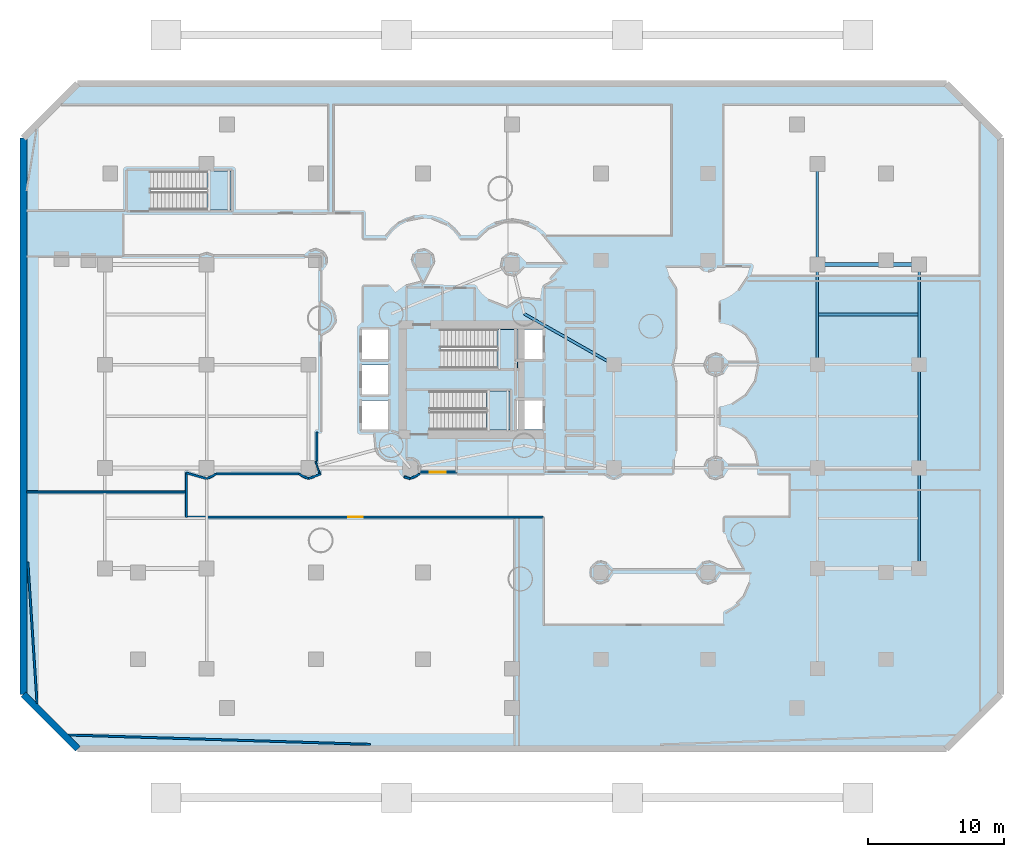
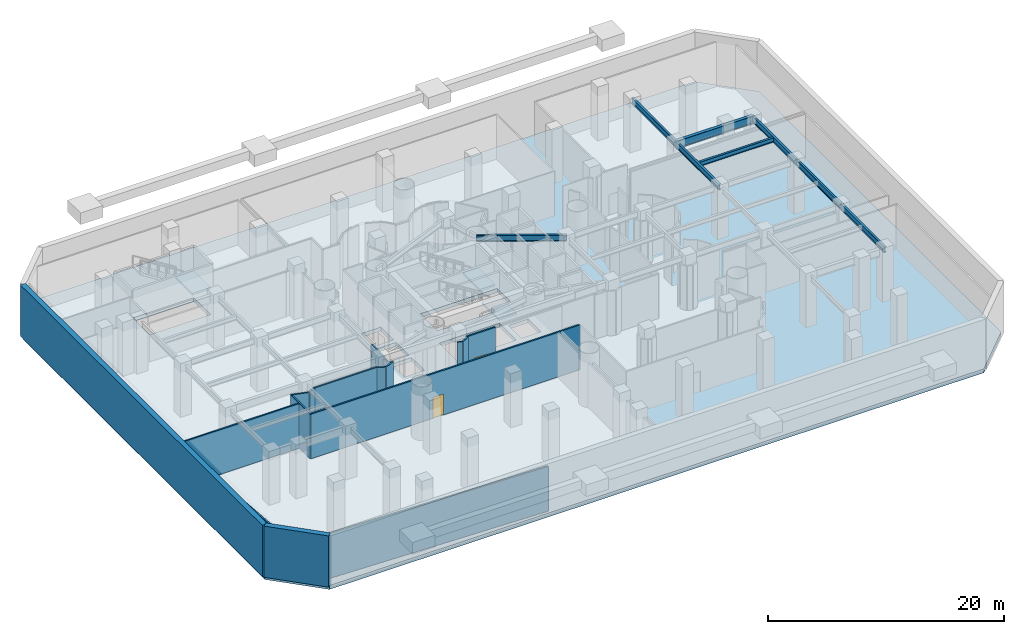
# One storey, part 2 of 11: 17 walls, 8 beams, 4 slabs, 2 doors, 2 openings, 3 elements without a shape of their own.
"""IFC4 building model written with IfcOpenShell, lengths in metres."""

from ifc_helpers import new_model, si_unit, direction, frame, frame_2d, origin, origin_2d, place, context, subcontext, project, spatial, polyline, rectangle, i_section, outline, extrude, material, layer, layer_set, material_profile, profile_set, type_object, element, fill, aggregate, save


model = new_model("IFC4")

# Units and contexts
model_context = context("Model", 3, precision=1e-05, world=origin(), true_north=direction((0.0, 1.0)))
body_context = subcontext(model_context, "Body", "Model", "MODEL_VIEW")
ifc_project = project(units=[si_unit("LENGTHUNIT", "METRE"), si_unit("AREAUNIT", "SQUARE_METRE"), si_unit("VOLUMEUNIT", "CUBIC_METRE"), si_unit("PLANEANGLEUNIT", "RADIAN"), si_unit("MASSUNIT", "GRAM", prefix="KILO")], contexts=[model_context])

# Site, building, storey
site_placement = place(None, origin())
site = spatial("IfcSite", under=ifc_project, at=site_placement, CompositionType="ELEMENT")
building_placement = place(site_placement, origin())
building = spatial("IfcBuilding", under=site, at=building_placement, Name="Qianvela Tower", CompositionType="ELEMENT")
storey_placement = place(building_placement, frame((0.0, 0.0, -5.60009765625)))
storey = spatial("IfcBuildingStorey", under=building, at=storey_placement, Name="B01", CompositionType="ELEMENT", Elevation=-5.60009765625)

# Beams
ifc_material_1 = material(Name="Steel Q355B", Category="steel")
ifc_material_profile_1 = material_profile(ifc_material_1, i_section(OverallWidth=0.199951171875, OverallDepth=0.449951171875, WebThickness=0.009033203125, FlangeThickness=0.013916015625, at=origin_2d()), Name="HN450x200x9x14")
ifc_profile_set_1 = profile_set([ifc_material_profile_1], Name="Steel Q355B")
beam_type_1 = type_object("IfcBeamType", Name="BM-HN450-JOIST", PredefinedType="JOIST", material=ifc_profile_set_1)
beam_1_placement = place(storey_placement, frame((60.095947265625, 33.5, 5.072998046875), z_axis=(1.0, 0.0, 0.0), x_axis=(0.0, 1.0, 0.0)))
element("IfcBeam", 1, at=beam_1_placement, inside=storey, type_object=beam_type_1, Name="B01 Secondary Floor Joist 52", PredefinedType="JOIST", context=body_context, shape_type="SweptSolid", body=[
    extrude(i_section(OverallWidth=0.199951171875, OverallDepth=0.449951171875, WebThickness=0.009033203125, FlangeThickness=0.013916015625, at=origin_2d()), origin(), (0.0, 0.0, 1.0), 7.30810546875),
])
ifc_material_2 = material(Name="Steel Q355B", Category="steel")
ifc_material_profile_2 = material_profile(ifc_material_2, i_section(OverallWidth=0.199951171875, OverallDepth=0.60009765625, WebThickness=0.010986328125, FlangeThickness=0.01708984375, at=origin_2d()), Name="HN600x200x11x17")
ifc_profile_set_2 = profile_set([ifc_material_profile_2], Name="Steel Q355B")
beam_type_2 = type_object("IfcBeamType", Name="BM-HN600-GIRD", PredefinedType="BEAM", material=ifc_profile_set_2)
beam_2_placement = place(storey_placement, frame((60.0, 29.800048828125, 4.998046875), z_axis=(0.0, 1.0, 0.0), x_axis=(-1.0, 0.0, 0.0)))
element("IfcBeam", 2, at=beam_2_placement, inside=storey, type_object=beam_type_2, Name="B01 North-South Grid Girder 31", PredefinedType="BEAM", context=body_context, shape_type="SweptSolid", body=[
    extrude(i_section(OverallWidth=0.199951171875, OverallDepth=0.60009765625, WebThickness=0.010986328125, FlangeThickness=0.01708984375, at=origin_2d()), origin(), (0.0, 0.0, 1.0), 7.39990234375),
])
beam_3_placement = place(storey_placement, frame((60.0, 37.199951171875, 4.998046875), z_axis=(0.0, 1.0, 0.0), x_axis=(-1.0, 0.0, 0.0)))
element("IfcBeam", 3, at=beam_3_placement, inside=storey, type_object=beam_type_2, Name="B01 North-South Grid Girder 32", PredefinedType="BEAM", context=body_context, shape_type="SweptSolid", body=[
    extrude(i_section(OverallWidth=0.199951171875, OverallDepth=0.60009765625, WebThickness=0.010986328125, FlangeThickness=0.01708984375, at=origin_2d()), origin(), (0.0, 0.0, 1.0), 7.400146484375),
])
beam_4_placement = place(storey_placement, frame((67.5, 14.800048828125, 4.998046875), z_axis=(0.0, 1.0, 0.0), x_axis=(-1.0, 0.0, 0.0)))
element("IfcBeam", 4, at=beam_4_placement, inside=storey, type_object=beam_type_2, Name="B01 North-South Grid Girder 33", PredefinedType="BEAM", context=body_context, shape_type="SweptSolid", body=[
    extrude(i_section(OverallWidth=0.199951171875, OverallDepth=0.60009765625, WebThickness=0.010986328125, FlangeThickness=0.01708984375, at=origin_2d()), origin(), (0.0, 0.0, 1.0), 7.39990234375),
])
beam_5_placement = place(storey_placement, frame((67.5, 22.199951171875, 4.998046875), z_axis=(0.0, 1.0, 0.0), x_axis=(-1.0, 0.0, 0.0)))
element("IfcBeam", 5, at=beam_5_placement, inside=storey, type_object=beam_type_2, Name="B01 North-South Grid Girder 34", PredefinedType="BEAM", context=body_context, shape_type="SweptSolid", body=[
    extrude(i_section(OverallWidth=0.199951171875, OverallDepth=0.60009765625, WebThickness=0.010986328125, FlangeThickness=0.01708984375, at=origin_2d()), origin(), (0.0, 0.0, 1.0), 7.60009765625),
])
beam_6_placement = place(storey_placement, frame((67.5, 29.800048828125, 4.998046875), z_axis=(0.0, 1.0, 0.0), x_axis=(-1.0, 0.0, 0.0)))
element("IfcBeam", 6, at=beam_6_placement, inside=storey, type_object=beam_type_2, Name="B01 North-South Grid Girder 35", PredefinedType="BEAM", context=body_context, shape_type="SweptSolid", body=[
    extrude(i_section(OverallWidth=0.199951171875, OverallDepth=0.60009765625, WebThickness=0.010986328125, FlangeThickness=0.01708984375, at=origin_2d()), origin(), (0.0, 0.0, 1.0), 7.39990234375),
])
beam_7_placement = place(storey_placement, frame((38.39990234375, 33.550048828125, 4.998046875), z_axis=(0.869459696941, -0.494003881964, 0.0), x_axis=(0.494003881964, 0.869459696941, 0.0)))
element("IfcBeam", 7, at=beam_7_placement, inside=storey, type_object=beam_type_2, Name="B01 Core Tie Girder 41", PredefinedType="BEAM", context=body_context, shape_type="SweptSolid", body=[
    extrude(i_section(OverallWidth=0.199951171875, OverallDepth=0.60009765625, WebThickness=0.010986328125, FlangeThickness=0.01708984375, at=origin_2d()), origin(), (0.0, 0.0, 1.0), 7.591064453125),
])
ifc_material_3 = material(Name="Steel Q355B", Category="steel")
ifc_material_profile_3 = material_profile(ifc_material_3, i_section(OverallWidth=0.300048828125, OverallDepth=0.800048828125, WebThickness=0.013916015625, FlangeThickness=0.02587890625, at=origin_2d()), Name="HN800x300x14x26")
ifc_profile_set_3 = profile_set([ifc_material_profile_3], Name="Steel Q355B")
beam_type_3 = type_object("IfcBeamType", Name="BM-HN800-SPAND", PredefinedType="SPANDREL", material=ifc_profile_set_3)
beam_8_placement = place(storey_placement, frame((60.0, 37.199951171875, 4.898193359375), z_axis=(1.0, 0.0, 0.0), x_axis=(0.0, 1.0, 0.0)))
element("IfcBeam", 8, at=beam_8_placement, inside=storey, type_object=beam_type_3, Name="B01 East-West Grid Girder 16", PredefinedType="SPANDREL", context=body_context, shape_type="SweptSolid", body=[
    extrude(i_section(OverallWidth=0.300048828125, OverallDepth=0.800048828125, WebThickness=0.013916015625, FlangeThickness=0.02587890625, at=origin_2d()), origin(), (0.0, 0.0, 1.0), 7.5),
])

# Slab
ifc_material_4 = material(Name="Concrete C50", Category="concrete")
ifc_layer_1 = layer(ifc_material_4, 0.39990234375)
ifc_layer_set_1 = layer_set([ifc_layer_1], Name="Concrete C50")
slab_type_1 = type_object("IfcSlabType", Name="SL-BSM-400", PredefinedType="FLOOR", material=ifc_layer_set_1)
slab_1_placement = place(storey_placement, frame((0.0, 0.0, -0.39990234375)))
element("IfcSlab", 9, at=slab_1_placement, inside=storey, type_object=slab_type_1, Name="B01 Composite Structural Floor Slab", PredefinedType="FLOOR", context=body_context, shape_type="SweptSolid", body=[
    extrude(outline(polyline([(5.5, 1.5), (69.5, 1.5), (73.5, 5.5), (73.5, 46.5), (69.5, 50.5), (5.5, 50.5), (1.5, 46.5), (1.5, 5.5), (5.5, 1.5)]), holes=[polyline([(28.360107421875, 27.179931640625), (26.43994140625, 27.179931640625), (26.43994140625, 25.02001953125), (28.360107421875, 25.02001953125), (28.360107421875, 27.179931640625)]), polyline([(39.760009765625, 27.179931640625), (37.840087890625, 27.179931640625), (37.840087890625, 25.02001953125), (39.760009765625, 25.02001953125), (39.760009765625, 27.179931640625)]), polyline([(37.35009765625, 27.860107421875), (31.469970703125, 27.860107421875), (31.469970703125, 25.0), (37.35009765625, 25.0), (37.35009765625, 27.860107421875)]), polyline([(28.360107421875, 29.780029296875), (26.43994140625, 29.780029296875), (26.43994140625, 27.6201171875), (28.360107421875, 27.6201171875), (28.360107421875, 29.780029296875)]), polyline([(37.89990234375, 32.39990234375), (32.25, 32.39990234375), (32.25, 29.5400390625), (37.89990234375, 29.5400390625), (37.89990234375, 30.219970703125), (39.760009765625, 30.219970703125), (39.760009765625, 32.3798828125), (37.89990234375, 32.3798828125), (37.89990234375, 32.39990234375)]), polyline([(28.360107421875, 32.3798828125), (26.43994140625, 32.3798828125), (26.43994140625, 30.219970703125), (28.360107421875, 30.219970703125), (28.360107421875, 32.3798828125)]), polyline([(16.800048828125, 44.06005859375), (10.8701171875, 44.06005859375), (10.8701171875, 41.199951171875), (16.800048828125, 41.199951171875), (16.800048828125, 44.06005859375)])]), origin(), (0.0, 0.0, 1.0), 0.39990234375),
])

# Stair, slab
ifc_material_5 = material(Name="Concrete C40", Category="concrete")
stair_type = type_object("IfcStairType", Name="ST-DOGLEG-1350-R175-N32", PredefinedType="HALF_TURN_STAIR", material=ifc_material_5)
stair_1_placement = place(storey_placement, origin())
stair_1 = element("IfcStair", 10, at=stair_1_placement, inside=storey, type_object=stair_type, Name="B01 Smoke-Proof Core Stair ST-1", PredefinedType="HALF_TURN_STAIR")
ifc_material_6 = material(Name="Concrete C40", Category="concrete")
ifc_layer_2 = layer(ifc_material_6, 0.199951171875)
ifc_layer_set_2 = layer_set([ifc_layer_2], Name="Concrete C40")
slab_type_2 = type_object("IfcSlabType", Name="SL-STAIR-LANDING-200", PredefinedType="LANDING", material=ifc_layer_set_2)
slab_2_placement = place(storey_placement, frame((0.0, 0.0, 2.60009765625)))
slab_2 = element("IfcSlab", 11, at=slab_2_placement, type_object=slab_type_2, Name="ST-1 landing 1", PredefinedType="LANDING", context=body_context, shape_type="SweptSolid", body=[
    extrude(outline(polyline([(36.39990234375, 29.5400390625), (37.89990234375, 29.5400390625), (37.89990234375, 32.39990234375), (36.39990234375, 32.39990234375), (36.39990234375, 29.5400390625)])), origin(), (0.0, 0.0, 1.0), 0.199951171875),
])
aggregate(stair_1, [slab_2])

stair_2_placement = place(storey_placement, origin())
stair_2 = element("IfcStair", 12, at=stair_2_placement, inside=storey, type_object=stair_type, Name="B01 Smoke-Proof Core Stair ST-2", PredefinedType="HALF_TURN_STAIR")
slab_3_placement = place(storey_placement, frame((0.0, 0.0, 2.60009765625)))
slab_3 = element("IfcSlab", 13, at=slab_3_placement, type_object=slab_type_2, Name="ST-2 landing 1", PredefinedType="LANDING", context=body_context, shape_type="SweptSolid", body=[
    extrude(outline(polyline([(35.6201171875, 25.0), (37.35009765625, 25.0), (37.35009765625, 27.860107421875), (35.6201171875, 27.860107421875), (35.6201171875, 25.0)])), origin(), (0.0, 0.0, 1.0), 0.199951171875),
])
aggregate(stair_2, [slab_3])

stair_3_placement = place(storey_placement, origin())
stair_3 = element("IfcStair", 14, at=stair_3_placement, inside=storey, type_object=stair_type, Name="B01 Smoke-Proof Core Stair ST-3", PredefinedType="HALF_TURN_STAIR")
slab_4_placement = place(storey_placement, frame((0.0, 0.0, 2.60009765625)))
slab_4 = element("IfcSlab", 15, at=slab_4_placement, type_object=slab_type_2, Name="ST-3 landing 1", PredefinedType="LANDING", context=body_context, shape_type="SweptSolid", body=[
    extrude(outline(polyline([(15.02001953125, 41.199951171875), (16.800048828125, 41.199951171875), (16.800048828125, 44.06005859375), (15.02001953125, 44.06005859375), (15.02001953125, 41.199951171875)])), origin(), (0.0, 0.0, 1.0), 0.199951171875),
])
aggregate(stair_3, [slab_4])

# Wall, opening, door
ifc_material_7 = material(Name="Fire-Rated Acoustic Gypsum Board")
ifc_layer_3 = layer(ifc_material_7, 0.14990234375)
ifc_layer_set_3 = layer_set([ifc_layer_3], Name="Fire-Rated Acoustic Gypsum Board")
wall_type_1 = type_object("IfcWallType", Name="WT-CORR-150", PredefinedType="PARTITIONING", material=ifc_layer_set_3)
wall_1_placement = place(storey_placement, frame((33.449951171875, 21.881103515625, 0.0), z_axis=(0.0, 0.0, 1.0), x_axis=(-1.0, 0.0, 0.0)))
wall_1 = element("IfcWall", 16, at=wall_1_placement, inside=storey, type_object=wall_type_1, Name="B01 Partition 12", PredefinedType="PARTITIONING", context=body_context, shape_type="SweptSolid", body=[
    extrude(rectangle(XDim=2.8359375, YDim=0.14990234375, at=frame_2d((1.41796875, 0.0))), origin(), (0.0, 0.0, 1.0), 4.6201171875),
])
opening_1_placement = place(wall_1_placement, frame((0.818115234375, 0.0, 0.0)))
opening_1 = element("IfcOpeningElement", 17, at=opening_1_placement, cuts=wall_1, Name="Opening D-LB1", PredefinedType="OPENING", context=body_context, shape_type="SweptSolid", body=[
    extrude(rectangle(XDim=1.199951171875, YDim=2.14990234375, at=frame_2d((0.60009765625, 1.074951171875))), frame((0.0, 0.0849609375, 0.0), z_axis=(0.0, -1.0, 0.0), x_axis=(1.0, 0.0, 0.0)), (0.0, 0.0, 1.0), 0.169921875),
])
ifc_material_8 = material(Name="Glazed Fire-Rated Steel Frame", Category="steel")
door_type_1 = type_object("IfcDoorType", Name="DT-LOBBY-FD90", OperationType="NOTDEFINED", PredefinedType="DOOR", material=ifc_material_8)
door_1_placement = place(opening_1_placement, origin())
door_1 = element("IfcDoor", 18, at=door_1_placement, inside=storey, type_object=door_type_1, Name="B01 Door B01 Firefighting Lobby South to B01 Plant and Bicycle Corridor", OperationType="SINGLE_SWING_LEFT", OverallHeight=2.14990234375, OverallWidth=1.199951171875, PredefinedType="DOOR", context=body_context, shape_type="SweptSolid", body=[
    extrude(rectangle(XDim=1.199951171875, YDim=2.14990234375, at=frame_2d((0.60009765625, 1.074951171875))), frame((0.0, 0.02490234375, 0.0), z_axis=(0.0, -1.0, 0.0), x_axis=(1.0, 0.0, 0.0)), (0.0, 0.0, 1.0), 0.050048828125),
])
fill(opening_1, door_1)

# Walls
wall_2_placement = place(storey_placement, frame((29.563232421875, 21.530029296875, 0.0), z_axis=(0.0, 0.0, 1.0), x_axis=(0.957010621041, -0.290052876583, 0.0)))
element("IfcWall", 19, at=wall_2_placement, inside=storey, type_object=wall_type_1, Name="B01 Partition 86", PredefinedType="PARTITIONING", context=body_context, shape_type="SweptSolid", body=[
    extrude(rectangle(XDim=0.447021484375, YDim=0.14990234375, at=frame_2d((0.2236328125, 0.0))), origin(), (0.0, 0.0, 1.0), 4.6201171875),
])
wall_3_placement = place(storey_placement, frame((30.013916015625, 21.40234375, 0.0), z_axis=(0.0, 0.0, 1.0), x_axis=(0.893548213857, 0.448967247706, 0.0)))
element("IfcWall", 20, at=wall_3_placement, inside=storey, type_object=wall_type_1, Name="B01 Partition 87", PredefinedType="PARTITIONING", context=body_context, shape_type="SweptSolid", body=[
    extrude(rectangle(XDim=0.779296875, YDim=0.14990234375, at=frame_2d((0.3896484375, 0.0))), origin(), (0.0, 0.0, 1.0), 4.6201171875),
])

# Wall, opening, door
wall_4_placement = place(storey_placement, frame((39.800048828125, 18.5810546875, 0.0), z_axis=(0.0, 0.0, 1.0), x_axis=(-1.0, 0.0, 0.0)))
wall_4 = element("IfcWall", 21, at=wall_4_placement, inside=storey, type_object=wall_type_1, Name="B01 Partition 163", PredefinedType="PARTITIONING", context=body_context, shape_type="SweptSolid", body=[
    extrude(rectangle(XDim=26.300048828125, YDim=0.14990234375, at=frame_2d((13.14990234375, 0.0))), origin(), (0.0, 0.0, 1.0), 4.6201171875),
])
opening_2_placement = place(wall_4_placement, frame((13.30322265625, 0.0, 0.0)))
opening_2 = element("IfcOpeningElement", 22, at=opening_2_placement, cuts=wall_4, Name="Opening D-PL1", PredefinedType="OPENING", context=body_context, shape_type="SweptSolid", body=[
    extrude(rectangle(XDim=1.050048828125, YDim=2.14990234375, at=frame_2d((0.52490234375, 1.074951171875))), frame((0.0, 0.0849609375, 0.0), z_axis=(0.0, -1.0, 0.0), x_axis=(1.0, 0.0, 0.0)), (0.0, 0.0, 1.0), 0.169921875),
])
ifc_material_9 = material(Name="Insulated Steel Fire Door Q355B", Category="steel")
door_type_2 = type_object("IfcDoorType", Name="DT-PLANT-FD90", OperationType="NOTDEFINED", PredefinedType="DOOR", material=ifc_material_9)
door_2_placement = place(opening_2_placement, origin())
door_2 = element("IfcDoor", 23, at=door_2_placement, inside=storey, type_object=door_type_2, Name="B01 Door B01 Building Telecoms and Fibre Intake Room to B01 Plant and Bicycle Corridor", OperationType="SINGLE_SWING_RIGHT", OverallHeight=2.14990234375, OverallWidth=1.050048828125, PredefinedType="DOOR", context=body_context, shape_type="SweptSolid", body=[
    extrude(rectangle(XDim=1.050048828125, YDim=2.14990234375, at=frame_2d((0.52490234375, 1.074951171875))), frame((0.0, 0.02490234375, 0.0), z_axis=(0.0, -1.0, 0.0), x_axis=(1.0, 0.0, 0.0)), (0.0, 0.0, 1.0), 0.050048828125),
])
fill(opening_2, door_2)

# Walls
wall_5_placement = place(storey_placement, frame((13.531005859375, 18.550048828125, 0.0), z_axis=(0.0, 0.0, 1.0), x_axis=(0.0, 1.0, 0.0)))
element("IfcWall", 24, at=wall_5_placement, inside=storey, type_object=wall_type_1, Name="B01 Partition 164", PredefinedType="PARTITIONING", context=body_context, shape_type="SweptSolid", body=[
    extrude(rectangle(XDim=3.30419921875, YDim=0.14990234375, at=frame_2d((1.652099609375, 0.0))), origin(), (0.0, 0.0, 1.0), 4.6201171875),
])
wall_6_placement = place(storey_placement, frame((13.49169921875, 21.824462890625, 0.0), z_axis=(0.0, 0.0, 1.0), x_axis=(0.962241655343, -0.272196614093, 0.0)))
element("IfcWall", 25, at=wall_6_placement, inside=storey, type_object=wall_type_1, Name="B01 Partition 165", PredefinedType="PARTITIONING", context=body_context, shape_type="SweptSolid", body=[
    extrude(rectangle(XDim=1.558837890625, YDim=0.14990234375, at=frame_2d((0.779296875, 0.0))), origin(), (0.0, 0.0, 1.0), 4.6201171875),
])
wall_7_placement = place(storey_placement, frame((15.013916015625, 21.40234375, 0.0), z_axis=(0.0, 0.0, 1.0), x_axis=(0.895126158245, 0.44581292133, 0.0)))
element("IfcWall", 26, at=wall_7_placement, inside=storey, type_object=wall_type_1, Name="B01 Partition 166", PredefinedType="PARTITIONING", context=body_context, shape_type="SweptSolid", body=[
    extrude(rectangle(XDim=0.767333984375, YDim=0.14990234375, at=frame_2d((0.3837890625, 0.0))), origin(), (0.0, 0.0, 1.0), 4.6201171875),
])
wall_8_placement = place(storey_placement, frame((15.686767578125, 21.7412109375, 0.0), z_axis=(0.0, 0.0, 1.0), x_axis=(0.999999234634, 0.001237227661, 0.0)))
element("IfcWall", 27, at=wall_8_placement, inside=storey, type_object=wall_type_1, Name="B01 Partition 167", PredefinedType="PARTITIONING", context=body_context, shape_type="SweptSolid", body=[
    extrude(rectangle(XDim=6.1171875, YDim=0.14990234375, at=frame_2d((3.05859375, 0.0))), origin(), (0.0, 0.0, 1.0), 4.6201171875),
])
wall_9_placement = place(storey_placement, frame((21.7900390625, 21.752197265625, 0.0), z_axis=(0.0, 0.0, 1.0), x_axis=(0.893485033775, -0.449092968572, 0.0)))
element("IfcWall", 28, at=wall_9_placement, inside=storey, type_object=wall_type_1, Name="B01 Partition 168", PredefinedType="PARTITIONING", context=body_context, shape_type="SweptSolid", body=[
    extrude(rectangle(XDim=0.779052734375, YDim=0.14990234375, at=frame_2d((0.3896484375, 0.0))), origin(), (0.0, 0.0, 1.0), 4.6201171875),
])
wall_10_placement = place(storey_placement, frame((22.51123046875, 21.401123046875, 0.0), z_axis=(0.0, 0.0, 1.0), x_axis=(0.93195721425, 0.362568270547, 0.0)))
element("IfcWall", 29, at=wall_10_placement, inside=storey, type_object=wall_type_1, Name="B01 Partition 169", PredefinedType="PARTITIONING", context=body_context, shape_type="SweptSolid", body=[
    extrude(rectangle(XDim=0.965576171875, YDim=0.14990234375, at=frame_2d((0.48291015625, 0.0))), origin(), (0.0, 0.0, 1.0), 4.6201171875),
])
wall_11_placement = place(storey_placement, frame((23.131103515625, 22.703125, 0.0), z_axis=(0.0, 0.0, 1.0), x_axis=(0.0, 1.0, 0.0)))
element("IfcWall", 30, at=wall_11_placement, inside=storey, type_object=wall_type_1, Name="B01 Partition 171", PredefinedType="PARTITIONING", context=body_context, shape_type="SweptSolid", body=[
    extrude(rectangle(XDim=2.14697265625, YDim=0.14990234375, at=frame_2d((1.073486328125, 0.0))), origin(), (0.0, 0.0, 1.0), 4.6201171875),
])
wall_12_placement = place(storey_placement, frame((27.05712890625, 1.830078125, 0.0), z_axis=(0.0, 0.0, 1.0), x_axis=(-0.999519837888, 0.030985378306, 0.0)))
element("IfcWall", 31, at=wall_12_placement, inside=storey, type_object=wall_type_1, Name="B01 Partition 265 seg 1", PredefinedType="PARTITIONING", context=body_context, shape_type="SweptSolid", body=[
    extrude(rectangle(XDim=22.2509765625, YDim=0.14990234375, at=frame_2d((11.12548828125, 0.0))), origin(), (0.0, 0.0, 1.0), 4.6201171875),
])
wall_13_placement = place(storey_placement, frame((2.50634765625, 4.830322265625, 0.0), z_axis=(0.0, 0.0, 1.0), x_axis=(-0.064751736741, 0.997901404242, 0.0)))
element("IfcWall", 32, at=wall_13_placement, inside=storey, type_object=wall_type_1, Name="B01 Partition 267 seg 1", PredefinedType="PARTITIONING", context=body_context, shape_type="SweptSolid", body=[
    extrude(rectangle(XDim=10.444091796875, YDim=0.14990234375, at=frame_2d((5.22216796875, 0.0))), origin(), (0.0, 0.0, 1.0), 4.6201171875),
])
ifc_material_10 = material(Name="Lightweight Gypsum Room Partition")
ifc_layer_4 = layer(ifc_material_10, 0.10498046875)
ifc_layer_set_4 = layer_set([ifc_layer_4], Name="Lightweight Gypsum Room Partition")
wall_type_2 = type_object("IfcWallType", Name="WT-PART-105", PredefinedType="PARTITIONING", material=ifc_layer_set_4)
wall_14_placement = place(storey_placement, frame((23.009033203125, 22.686767578125, 0.0), z_axis=(0.0, 0.0, 1.0), x_axis=(0.329991013701, -0.943984073423, 0.0)))
element("IfcWall", 33, at=wall_14_placement, inside=storey, type_object=wall_type_2, Name="B01 Partition 197", PredefinedType="PARTITIONING", context=body_context, shape_type="SweptSolid", body=[
    extrude(rectangle(XDim=0.90771484375, YDim=0.10498046875, at=frame_2d((0.453857421875, 0.0))), origin(), (0.0, 0.0, 1.0), 4.47802734375),
])
ifc_material_11 = material(Name="Waterproof Concrete C50", Category="concrete")
ifc_layer_5 = layer(ifc_material_11, 0.5)
ifc_layer_set_5 = layer_set([ifc_layer_5], Name="Waterproof Concrete C50")
wall_type_3 = type_object("IfcWallType", Name="WT-RET-500", PredefinedType="SOLIDWALL", material=ifc_layer_set_5)
wall_15_placement = place(storey_placement, frame((1.5, 46.5, 0.0), z_axis=(0.0, 0.0, 1.0), x_axis=(0.0, -1.0, 0.0)))
element("IfcWall", 34, at=wall_15_placement, inside=storey, type_object=wall_type_3, Name="B01 Perimeter Diaphragm Retaining Wall 7", PredefinedType="SOLIDWALL", context=body_context, shape_type="SweptSolid", body=[
    extrude(rectangle(XDim=41.0, YDim=0.5, at=frame_2d((20.5, 0.0))), origin(), (0.0, 0.0, 1.0), 5.300048828125),
])
wall_16_placement = place(storey_placement, frame((1.5, 5.5, 0.0), z_axis=(0.0, 0.0, 1.0), x_axis=(0.707106781187, -0.707106781187, 0.0)))
element("IfcWall", 35, at=wall_16_placement, inside=storey, type_object=wall_type_3, Name="B01 Perimeter Diaphragm Retaining Wall 8", PredefinedType="SOLIDWALL", context=body_context, shape_type="SweptSolid", body=[
    extrude(rectangle(XDim=5.65673828125, YDim=0.5, at=frame_2d((2.828369140625, 0.0))), origin(), (0.0, 0.0, 1.0), 5.300048828125),
])
ifc_material_12 = material(Name="Acoustic Double Gypsum Stud Partition")
ifc_layer_6 = layer(ifc_material_12, 0.139892578125)
ifc_layer_set_6 = layer_set([ifc_layer_6], Name="Acoustic Double Gypsum Stud Partition")
wall_type_4 = type_object("IfcWallType", Name="WT-ROOM-140", PredefinedType="PARTITIONING", material=ifc_layer_set_6)
wall_17_placement = place(storey_placement, frame((13.43798828125, 20.430908203125, 0.0), z_axis=(0.0, 0.0, 1.0), x_axis=(-1.0, 0.0, 0.0)))
element("IfcWall", 36, at=wall_17_placement, inside=storey, type_object=wall_type_4, Name="B01 Partition 204", PredefinedType="PARTITIONING", context=body_context, shape_type="SweptSolid", body=[
    extrude(rectangle(XDim=11.699951171875, YDim=0.139892578125, at=frame_2d((5.85009765625, 0.0))), origin(), (0.0, 0.0, 1.0), 4.6201171875),
])

save(model, "model.ifc")
